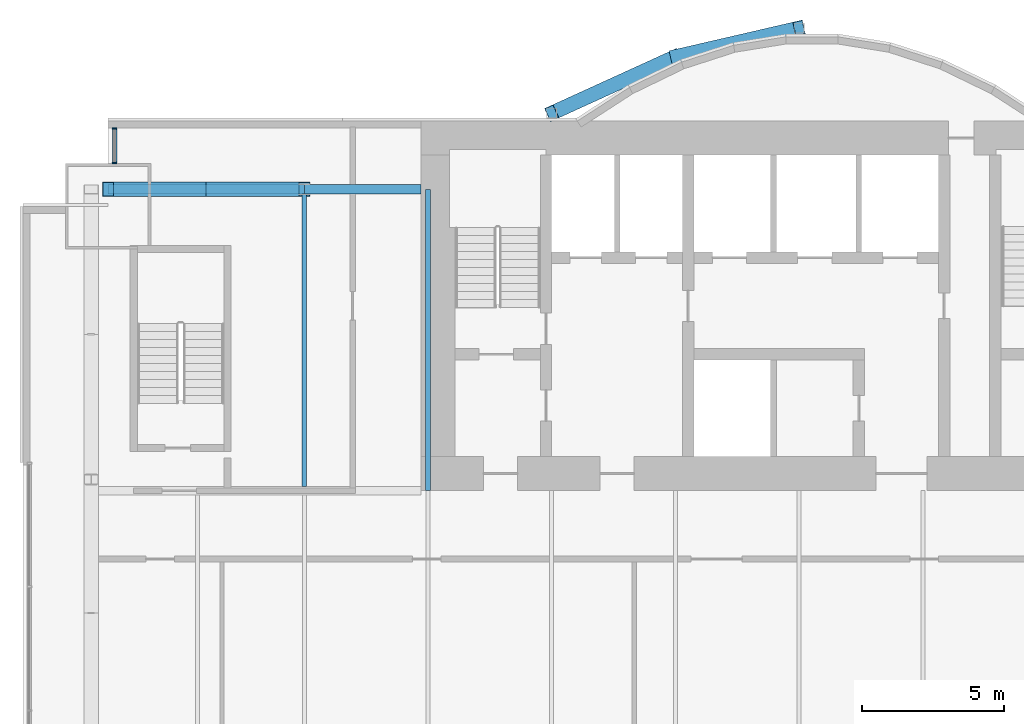
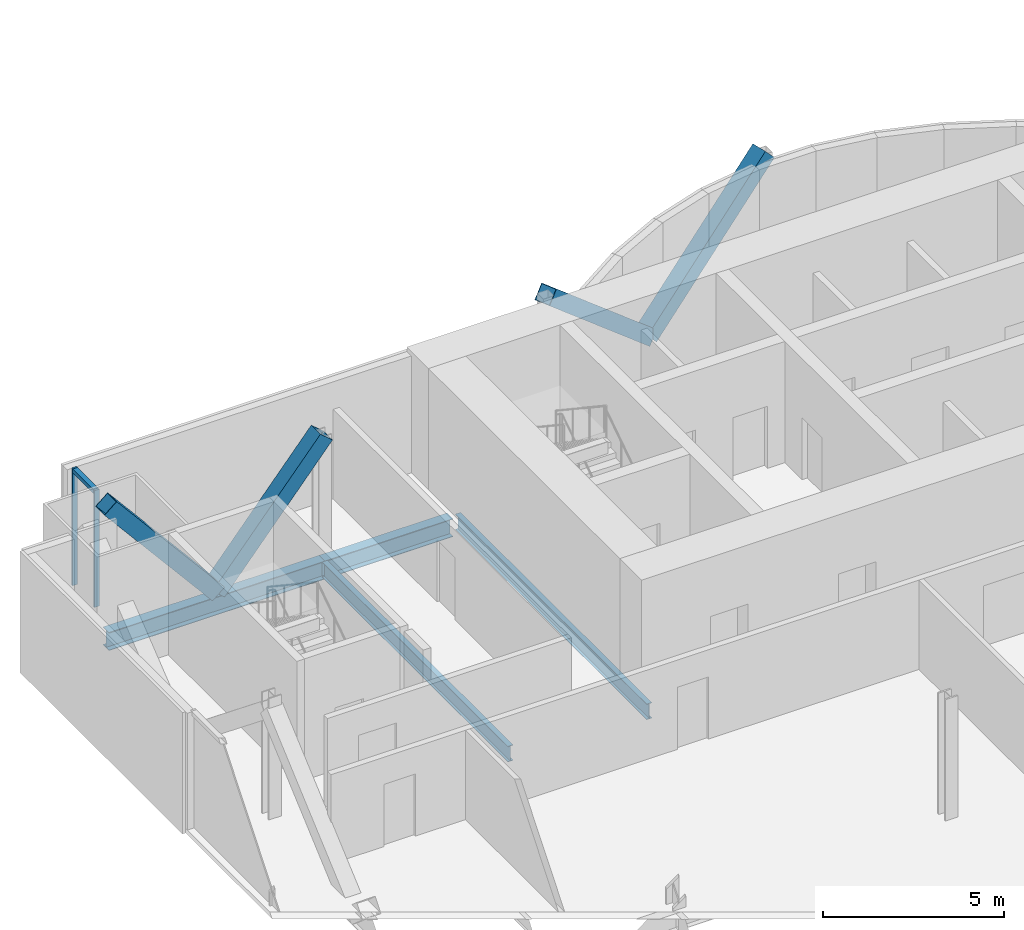
# One storey, part 10 of 21: 7 members, 4 beams, 1 element without a shape of its own.
"""IFC4 building model written with IfcOpenShell, lengths in metres."""

from ifc_helpers import new_model, si_unit, direction, frame, origin, origin_2d, place, context, subcontext, project, spatial, rectangle, hollow_rectangle, i_section, extrude, material, material_profile, profile_set, type_object, element, aggregate, save


model = new_model("IFC4")

# Units and contexts
model_context = context("Model", 3, precision=1e-05, world=origin(), true_north=direction((0.0, 1.0)))
body_context = subcontext(model_context, "Body", "Model", "MODEL_VIEW")
ifc_project = project(units=[si_unit("LENGTHUNIT", "METRE"), si_unit("AREAUNIT", "SQUARE_METRE"), si_unit("VOLUMEUNIT", "CUBIC_METRE"), si_unit("PLANEANGLEUNIT", "RADIAN"), si_unit("MASSUNIT", "GRAM", prefix="KILO")], contexts=[model_context])

# Site, building, storey
site_placement = place(None, origin())
site = spatial("IfcSite", under=ifc_project, at=site_placement, CompositionType="ELEMENT")
building_placement = place(site_placement, origin())
building = spatial("IfcBuilding", under=site, at=building_placement, Name="Bicima Exchange Tower", CompositionType="ELEMENT")
storey_placement = place(building_placement, frame((0.0, 0.0, 122.699951171875)))
storey = spatial("IfcBuildingStorey", under=building, at=storey_placement, Name="L26", CompositionType="ELEMENT", Elevation=122.699951171875)

# Beams
ifc_material_1 = material(Name="Steel ASTM A992 Gr 50", Category="steel")
ifc_material_profile_1 = material_profile(ifc_material_1, i_section(OverallWidth=0.165771484375, OverallDepth=0.5283203125, WebThickness=0.009765625, FlangeThickness=0.013671875, at=origin_2d()))
ifc_profile_set_1 = profile_set([ifc_material_profile_1], Name="Steel ASTM A992 Gr 50")
beam_type_1 = type_object("IfcBeamType", Name="Floor beam W21x50", PredefinedType="JOIST", material=ifc_profile_set_1)
beam_1_placement = place(storey_placement, frame((-26.10009765625, -2.5625, -0.4140625), z_axis=(0.0, -1.0, 0.0), x_axis=(1.0, 0.0, 0.0)))
element("IfcBeam", 1, at=beam_1_placement, inside=storey, type_object=beam_type_1, Name="Floor beam", PredefinedType="JOIST", context=body_context, shape_type="SweptSolid", body=[
    extrude(i_section(OverallWidth=0.165771484375, OverallDepth=0.5283203125, WebThickness=0.009765625, FlangeThickness=0.013671875, at=origin_2d()), origin(), (0.0, 0.0, 1.0), 10.28515625),
])
beam_2_placement = place(storey_placement, frame((-21.75, -2.39990234375, -0.4140625), z_axis=(0.0, -1.0, 0.0), x_axis=(1.0, 0.0, 0.0)))
element("IfcBeam", 2, at=beam_2_placement, inside=storey, type_object=beam_type_1, Name="Floor beam", PredefinedType="JOIST", context=body_context, shape_type="SweptSolid", body=[
    extrude(i_section(OverallWidth=0.165771484375, OverallDepth=0.5283203125, WebThickness=0.009765625, FlangeThickness=0.013671875, at=origin_2d()), origin(), (0.0, 0.0, 1.0), 10.60009765625),
])

# Curtain wall, members
ifc_material_2 = material(Name="Anodised bronze aluminium", Category="aluminium")
curtain_wall_type = type_object("IfcCurtainWallType", Name="Front glass wall", PredefinedType="NOTDEFINED", material=ifc_material_2)
curtain_wall_placement = place(storey_placement, origin())
curtain_wall = element("IfcCurtainWall", 3, at=curtain_wall_placement, inside=storey, type_object=curtain_wall_type, Name="Front glass wall L26 run 1", PredefinedType="NOTDEFINED")
ifc_material_profile_2 = material_profile(ifc_material_2, rectangle(XDim=0.159912109375, YDim=0.06005859375, at=origin_2d()))
ifc_profile_set_2 = profile_set([ifc_material_profile_2], Name="Anodised bronze aluminium")
member_type_1 = type_object("IfcMemberType", Name="Front glass wall mullion 60 x 160", PredefinedType="MULLION", material=ifc_profile_set_2)
member_1_placement = place(storey_placement, frame((-32.77001953125, -0.260009765625, 0.0), z_axis=(0.0, 0.0, 1.0), x_axis=(1.0, 0.0, 0.0)))
member_1 = element("IfcMember", 4, at=member_1_placement, type_object=member_type_1, Name="Front glass wall mullion 1", PredefinedType="MULLION", context=body_context, shape_type="SweptSolid", body=[
    extrude(rectangle(XDim=0.159912109375, YDim=0.06005859375, at=origin_2d()), origin(), (0.0, 0.0, 1.0), 3.949951171875),
])
member_2_placement = place(storey_placement, frame((-32.77001953125, -1.469970703125, 0.0), z_axis=(0.0, 0.0, 1.0), x_axis=(1.0, 0.0, 0.0)))
member_2 = element("IfcMember", 5, at=member_2_placement, type_object=member_type_1, Name="Front glass wall mullion 2", PredefinedType="MULLION", context=body_context, shape_type="SweptSolid", body=[
    extrude(rectangle(XDim=0.159912109375, YDim=0.06005859375, at=origin_2d()), origin(), (0.0, 0.0, 1.0), 3.949951171875),
])
ifc_material_profile_3 = material_profile(ifc_material_2, rectangle(XDim=0.159912109375, YDim=0.139892578125, at=origin_2d()))
ifc_profile_set_3 = profile_set([ifc_material_profile_3], Name="Anodised bronze aluminium")
member_type_2 = type_object("IfcMemberType", Name="Front glass wall transom 140 x 160", PredefinedType="USERDEFINED", material=ifc_profile_set_3)
member_3_placement = place(storey_placement, frame((-32.77001953125, -0.2900390625, 3.880126953125), z_axis=(0.0, -1.0, 0.0), x_axis=(1.0, 0.0, 0.0)))
member_3 = element("IfcMember", 6, at=member_3_placement, type_object=member_type_2, Name="Front glass wall transom 1.1", ObjectType="TRANSOM", PredefinedType="USERDEFINED", context=body_context, shape_type="SweptSolid", body=[
    extrude(rectangle(XDim=0.159912109375, YDim=0.139892578125, at=origin_2d()), origin(), (0.0, 0.0, 1.0), 1.14990234375),
])
aggregate(curtain_wall, [member_1, member_2, member_3])

# Members
ifc_material_3 = material(Name="Steel ASTM A572 Gr 50", Category="steel")
ifc_material_profile_4 = material_profile(ifc_material_3, hollow_rectangle(XDim=0.508056640625, YDim=0.508056640625, WallThickness=0.0146484375, at=origin_2d()))
ifc_profile_set_4 = profile_set([ifc_material_profile_4], Name="Steel ASTM A572 Gr 50")
member_type_3 = type_object("IfcMemberType", Name="Mega brace HSS20x20x5/8", PredefinedType="BRACE", material=ifc_profile_set_4)
member_4_placement = place(storey_placement, frame((-13.050048828125, 2.262451171875, 0.0), z_axis=(0.717605620354, 0.166050509188, 0.676364843878), x_axis=(-0.225438503722, 0.974257399787, 0.0)))
element("IfcMember", 7, at=member_4_placement, inside=storey, type_object=member_type_3, Name="Mega brace rexo", PredefinedType="BRACE", context=body_context, shape_type="SweptSolid", body=[
    extrude(hollow_rectangle(XDim=0.508056640625, YDim=0.508056640625, WallThickness=0.0146484375, at=origin_2d()), origin(), (0.0, 0.0, 1.0), 6.06201171875),
])
member_5_placement = place(storey_placement, frame((-13.050048828125, 2.262451171875, 0.0), z_axis=(-0.690628963585, -0.315060460011, 0.650975069565), x_axis=(0.415045223819, -0.909800781592, 0.0)))
element("IfcMember", 8, at=member_5_placement, inside=storey, type_object=member_type_3, Name="Mega brace rexo", PredefinedType="BRACE", context=body_context, shape_type="SweptSolid", body=[
    extrude(hollow_rectangle(XDim=0.508056640625, YDim=0.508056640625, WallThickness=0.0146484375, at=origin_2d()), origin(), (0.0, 0.0, 1.0), 6.29833984375),
])
for number, where, z_axis, x_axis, name in (
    (9, (-29.550048828125, -2.39990234375, 0.0), (0.643834042494, 0.0, 0.765165162384), (0.0, 1.0, 0.0), "Mega brace rear"),
    (10, (-29.550048828125, -2.39990234375, 0.0), (-0.643834042494, 0.0, 0.765165162384), (0.0, -1.0, 0.0), "Mega brace rear"),
):
    element("IfcMember", number, at=place(storey_placement, frame(where, z_axis=z_axis, x_axis=x_axis)), inside=storey, type_object=member_type_3, Name=name, PredefinedType="BRACE", context=body_context, shape_type="SweptSolid", body=[
        extrude(hollow_rectangle(XDim=0.508056640625, YDim=0.508056640625, WallThickness=0.0146484375, at=origin_2d()), origin(), (0.0, 0.0, 1.0), 5.3583984375),
    ])

# Beams
ifc_material_profile_5 = material_profile(ifc_material_1, i_section(OverallWidth=0.3251953125, OverallDepth=0.612060546875, WebThickness=0.0126953125, FlangeThickness=0.01904296875, at=origin_2d()))
ifc_profile_set_5 = profile_set([ifc_material_profile_5], Name="Steel ASTM A992 Gr 50")
beam_type_2 = type_object("IfcBeamType", Name="Rear girder W24x104", PredefinedType="BEAM", material=ifc_profile_set_5)
beam_3_placement = place(storey_placement, frame((-22.0, -2.39990234375, -0.4560546875), z_axis=(-1.0, 0.0, 0.0), x_axis=(0.0, -1.0, 0.0)))
element("IfcBeam", 11, at=beam_3_placement, inside=storey, type_object=beam_type_2, Name="Rear girder", PredefinedType="BEAM", context=body_context, shape_type="SweptSolid", body=[
    extrude(i_section(OverallWidth=0.3251953125, OverallDepth=0.612060546875, WebThickness=0.0126953125, FlangeThickness=0.01904296875, at=origin_2d()), origin(), (0.0, 0.0, 1.0), 4.10009765625),
])
beam_4_placement = place(storey_placement, frame((-26.10009765625, -2.39990234375, -0.4560546875), z_axis=(-1.0, 0.0, 0.0), x_axis=(0.0, -1.0, 0.0)))
element("IfcBeam", 12, at=beam_4_placement, inside=storey, type_object=beam_type_2, Name="Rear girder", PredefinedType="BEAM", context=body_context, shape_type="SweptSolid", body=[
    extrude(i_section(OverallWidth=0.3251953125, OverallDepth=0.612060546875, WebThickness=0.0126953125, FlangeThickness=0.01904296875, at=origin_2d()), origin(), (0.0, 0.0, 1.0), 6.89990234375),
])

save(model, "model.ifc")
